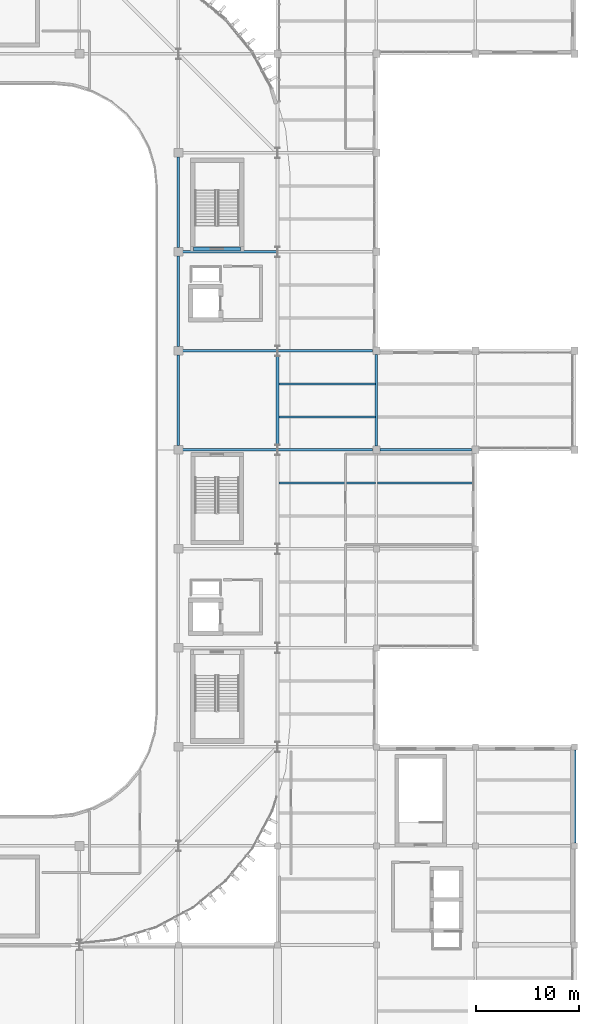
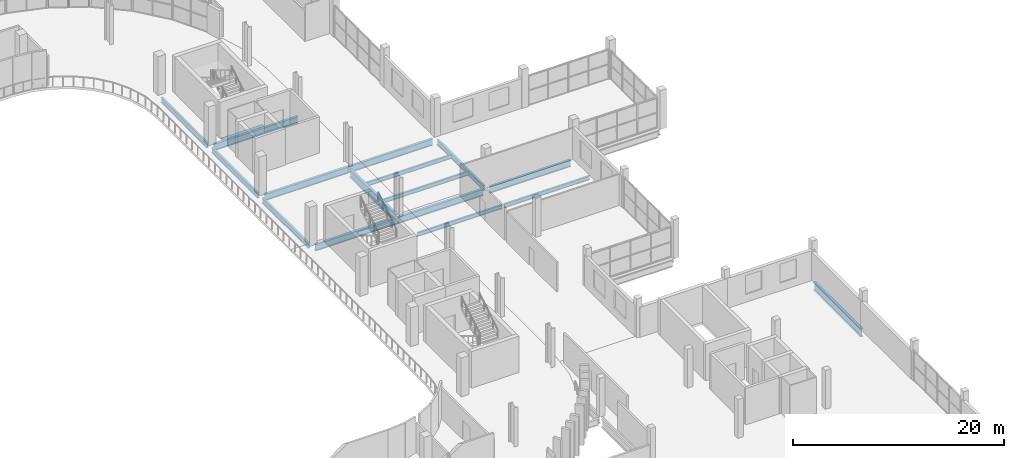
# One storey, part 30 of 92: 17 beams.
"""IFC4 building model written with IfcOpenShell, lengths in metres."""

from ifc_helpers import new_model, si_unit, direction, frame, origin, origin_2d, place, context, subcontext, project, spatial, rectangle, i_section, extrude, material, material_profile, profile_set, type_object, element, save


model = new_model("IFC4")

# Units and contexts
model_context = context("Model", 3, precision=1e-05, world=origin(), true_north=direction((0.0, 1.0)))
body_context = subcontext(model_context, "Body", "Model", "MODEL_VIEW")
ifc_project = project(units=[si_unit("LENGTHUNIT", "METRE"), si_unit("AREAUNIT", "SQUARE_METRE"), si_unit("VOLUMEUNIT", "CUBIC_METRE"), si_unit("PLANEANGLEUNIT", "RADIAN"), si_unit("MASSUNIT", "GRAM", prefix="KILO")], contexts=[model_context])

# Site, building, storey
site_placement = place(None, origin())
site = spatial("IfcSite", under=ifc_project, at=site_placement, CompositionType="ELEMENT")
building_placement = place(site_placement, origin())
building = spatial("IfcBuilding", under=site, at=building_placement, Name="Caelomonte Colonnade Arena", CompositionType="ELEMENT")
storey_placement = place(building_placement, frame((0.0, 0.0, 9.60009765625)))
storey = spatial("IfcBuildingStorey", under=building, at=storey_placement, Name="L02", CompositionType="ELEMENT", Elevation=9.60009765625)

# Beams
ifc_material_1 = material(Name="Wide-flange steel ASTM A992 Grade 50", Category="steel")
ifc_material_profile_1 = material_profile(ifc_material_1, i_section(OverallWidth=0.307861328125, OverallDepth=0.927001953125, WebThickness=0.019287109375, FlangeThickness=0.031982421875, FilletRadius=0.020263671875, at=origin_2d()), Name="W36X194")
ifc_profile_set_1 = profile_set([ifc_material_profile_1], Name="Wide-flange steel ASTM A992 Grade 50")
beam_type_1 = type_object("IfcBeamType", Name="STR-BM-EAVES2", PredefinedType="SPANDREL", material=ifc_profile_set_1)
beam_1_placement = place(storey_placement, frame((163.199951171875, 67.697509765625, -0.74365234375), z_axis=(0.0, 1.0, 0.0), x_axis=(-1.0, 0.0, 0.0)))
element("IfcBeam", 1, at=beam_1_placement, inside=storey, type_object=beam_type_1, Name="L02 girder BMY-L02-1632-0672", PredefinedType="SPANDREL", context=body_context, shape_type="SweptSolid", body=[
    extrude(i_section(OverallWidth=0.307861328125, OverallDepth=0.927001953125, WebThickness=0.019287109375, FlangeThickness=0.031982421875, FilletRadius=0.020263671875, at=origin_2d()), origin(), (0.0, 0.0, 1.0), 8.60498046875),
])
beam_2_placement = place(storey_placement, frame((192.0, 29.092041015625, -0.74365234375), z_axis=(0.0, 1.0, 0.0), x_axis=(-1.0, 0.0, 0.0)))
element("IfcBeam", 2, at=beam_2_placement, inside=storey, type_object=beam_type_1, Name="L02 girder BMY-L02-1920-0288", PredefinedType="SPANDREL", context=body_context, shape_type="SweptSolid", body=[
    extrude(i_section(OverallWidth=0.307861328125, OverallDepth=0.927001953125, WebThickness=0.019287109375, FlangeThickness=0.031982421875, FilletRadius=0.020263671875, at=origin_2d()), origin(), (0.0, 0.0, 1.0), 9.015869140625),
])
ifc_material_profile_2 = material_profile(ifc_material_1, i_section(OverallWidth=0.228271484375, OverallDepth=0.607177734375, WebThickness=0.01123046875, FlangeThickness=0.017333984375, FilletRadius=0.0126953125, at=origin_2d()), Name="W24X76")
ifc_profile_set_2 = profile_set([ifc_material_profile_2], Name="Wide-flange steel ASTM A992 Grade 50")
beam_type_2 = type_object("IfcBeamType", Name="STR-BM-GIRD24", PredefinedType="BEAM", material=ifc_profile_set_2)
beam_3_placement = place(storey_placement, frame((153.60009765625, 67.616943359375, -0.58349609375), z_axis=(0.0, 1.0, 0.0), x_axis=(-1.0, 0.0, 0.0)))
element("IfcBeam", 3, at=beam_3_placement, inside=storey, type_object=beam_type_2, Name="L02 girder BMY-L02-1536-0672", PredefinedType="BEAM", context=body_context, shape_type="SweptSolid", body=[
    extrude(i_section(OverallWidth=0.228271484375, OverallDepth=0.607177734375, WebThickness=0.01123046875, FlangeThickness=0.017333984375, FilletRadius=0.0126953125, at=origin_2d()), origin(), (0.0, 0.0, 1.0), 8.76611328125),
])
beam_4_placement = place(storey_placement, frame((153.60009765625, 77.217041015625, -0.58349609375), z_axis=(0.0, 1.0, 0.0), x_axis=(-1.0, 0.0, 0.0)))
element("IfcBeam", 4, at=beam_4_placement, inside=storey, type_object=beam_type_2, Name="L02 girder BMY-L02-1536-0768", PredefinedType="BEAM", context=body_context, shape_type="SweptSolid", body=[
    extrude(i_section(OverallWidth=0.228271484375, OverallDepth=0.607177734375, WebThickness=0.01123046875, FlangeThickness=0.017333984375, FilletRadius=0.0126953125, at=origin_2d()), origin(), (0.0, 0.0, 1.0), 8.765869140625),
])
beam_5_placement = place(storey_placement, frame((153.60009765625, 86.81689453125, -0.58349609375), z_axis=(0.0, 1.0, 0.0), x_axis=(-1.0, 0.0, 0.0)))
element("IfcBeam", 5, at=beam_5_placement, inside=storey, type_object=beam_type_2, Name="L02 girder BMY-L02-1536-0864", PredefinedType="BEAM", context=body_context, shape_type="SweptSolid", body=[
    extrude(i_section(OverallWidth=0.228271484375, OverallDepth=0.607177734375, WebThickness=0.01123046875, FlangeThickness=0.017333984375, FilletRadius=0.0126953125, at=origin_2d()), origin(), (0.0, 0.0, 1.0), 8.76611328125),
])
beam_6_placement = place(storey_placement, frame((172.800048828125, 67.56689453125, -0.58349609375), z_axis=(0.0, 1.0, 0.0), x_axis=(-1.0, 0.0, 0.0)))
element("IfcBeam", 6, at=beam_6_placement, inside=storey, type_object=beam_type_2, Name="L02 girder BMY-L02-1728-0672", PredefinedType="BEAM", context=body_context, shape_type="SweptSolid", body=[
    extrude(i_section(OverallWidth=0.228271484375, OverallDepth=0.607177734375, WebThickness=0.01123046875, FlangeThickness=0.017333984375, FilletRadius=0.0126953125, at=origin_2d()), origin(), (0.0, 0.0, 1.0), 8.8662109375),
])
ifc_material_profile_3 = material_profile(ifc_material_1, i_section(OverallWidth=0.2666015625, OverallDepth=0.761962890625, WebThickness=0.014404296875, FlangeThickness=0.021484375, FilletRadius=0.0166015625, at=origin_2d()), Name="W30X116")
ifc_profile_set_3 = profile_set([ifc_material_profile_3], Name="Wide-flange steel ASTM A992 Grade 50")
beam_type_3 = type_object("IfcBeamType", Name="STR-BM-GIRD30", PredefinedType="BEAM", material=ifc_profile_set_3)
beam_7_placement = place(storey_placement, frame((154.01708984375, 67.199951171875, -0.6611328125), z_axis=(1.0, 0.0, 0.0), x_axis=(0.0, 1.0, 0.0)))
element("IfcBeam", 7, at=beam_7_placement, inside=storey, type_object=beam_type_3, Name="L02 girder BMX-L02-1536-0672", PredefinedType="BEAM", context=body_context, shape_type="SweptSolid", body=[
    extrude(i_section(OverallWidth=0.2666015625, OverallDepth=0.761962890625, WebThickness=0.014404296875, FlangeThickness=0.021484375, FilletRadius=0.0166015625, at=origin_2d()), origin(), (0.0, 0.0, 1.0), 9.171142578125),
])
beam_8_placement = place(storey_placement, frame((163.2119140625, 67.199951171875, -0.6611328125), z_axis=(1.0, 0.0, 0.0), x_axis=(0.0, 1.0, 0.0)))
element("IfcBeam", 8, at=beam_8_placement, inside=storey, type_object=beam_type_3, Name="L02 girder BMX-L02-1632-0672", PredefinedType="BEAM", context=body_context, shape_type="SweptSolid", body=[
    extrude(i_section(OverallWidth=0.2666015625, OverallDepth=0.761962890625, WebThickness=0.014404296875, FlangeThickness=0.021484375, FilletRadius=0.0166015625, at=origin_2d()), origin(), (0.0, 0.0, 1.0), 9.22119140625),
])
beam_9_placement = place(storey_placement, frame((173.1669921875, 67.199951171875, -0.6611328125), z_axis=(1.0, 0.0, 0.0), x_axis=(0.0, 1.0, 0.0)))
element("IfcBeam", 9, at=beam_9_placement, inside=storey, type_object=beam_type_3, Name="L02 girder BMX-L02-1728-0672", PredefinedType="BEAM", context=body_context, shape_type="SweptSolid", body=[
    extrude(i_section(OverallWidth=0.2666015625, OverallDepth=0.761962890625, WebThickness=0.014404296875, FlangeThickness=0.021484375, FilletRadius=0.0166015625, at=origin_2d()), origin(), (0.0, 0.0, 1.0), 8.865966796875),
])
beam_10_placement = place(storey_placement, frame((154.01708984375, 76.800048828125, -0.6611328125), z_axis=(1.0, 0.0, 0.0), x_axis=(0.0, 1.0, 0.0)))
element("IfcBeam", 10, at=beam_10_placement, inside=storey, type_object=beam_type_3, Name="L02 girder BMX-L02-1536-0768", PredefinedType="BEAM", context=body_context, shape_type="SweptSolid", body=[
    extrude(i_section(OverallWidth=0.2666015625, OverallDepth=0.761962890625, WebThickness=0.014404296875, FlangeThickness=0.021484375, FilletRadius=0.0166015625, at=origin_2d()), origin(), (0.0, 0.0, 1.0), 9.171142578125),
])
beam_11_placement = place(storey_placement, frame((163.2119140625, 76.800048828125, -0.6611328125), z_axis=(1.0, 0.0, 0.0), x_axis=(0.0, 1.0, 0.0)))
element("IfcBeam", 11, at=beam_11_placement, inside=storey, type_object=beam_type_3, Name="L02 girder BMX-L02-1632-0768", PredefinedType="BEAM", context=body_context, shape_type="SweptSolid", body=[
    extrude(i_section(OverallWidth=0.2666015625, OverallDepth=0.761962890625, WebThickness=0.014404296875, FlangeThickness=0.021484375, FilletRadius=0.0166015625, at=origin_2d()), origin(), (0.0, 0.0, 1.0), 9.22119140625),
])
beam_12_placement = place(storey_placement, frame((154.01708984375, 86.39990234375, -0.6611328125), z_axis=(1.0, 0.0, 0.0), x_axis=(0.0, 1.0, 0.0)))
element("IfcBeam", 12, at=beam_12_placement, inside=storey, type_object=beam_type_3, Name="L02 girder BMX-L02-1536-0864", PredefinedType="BEAM", context=body_context, shape_type="SweptSolid", body=[
    extrude(i_section(OverallWidth=0.2666015625, OverallDepth=0.761962890625, WebThickness=0.014404296875, FlangeThickness=0.021484375, FilletRadius=0.0166015625, at=origin_2d()), origin(), (0.0, 0.0, 1.0), 9.171142578125),
])
ifc_material_profile_4 = material_profile(ifc_material_1, i_section(OverallWidth=0.1904296875, OverallDepth=0.457275390625, WebThickness=0.009033203125, FlangeThickness=0.014404296875, FilletRadius=0.01025390625, at=origin_2d()), Name="W18X50")
ifc_profile_set_4 = profile_set([ifc_material_profile_4], Name="Wide-flange steel ASTM A992 Grade 50")
beam_type_4 = type_object("IfcBeamType", Name="STR-BM-JOIST18", PredefinedType="JOIST", material=ifc_profile_set_4)
for number, where, z_axis, x_axis, name in (
    (13, (163.348876953125, 64.0, -0.5087890625), (1.0, 0.0, 0.0), (0.0, 1.0, 0.0), "L02 secondary joist 2"),
    (14, (163.348876953125, 70.39990234375, -0.5087890625), (1.0, 0.0, 0.0), (0.0, 1.0, 0.0), "L02 secondary joist 1"),
    (15, (163.348876953125, 73.60009765625, -0.5087890625), (1.0, 0.0, 0.0), (0.0, 1.0, 0.0), "L02 secondary joist 2"),
):
    element("IfcBeam", number, at=place(storey_placement, frame(where, z_axis=z_axis, x_axis=x_axis)), inside=storey, type_object=beam_type_4, Name=name, PredefinedType="JOIST", context=body_context, shape_type="SweptSolid", body=[
        extrude(i_section(OverallWidth=0.1904296875, OverallDepth=0.457275390625, WebThickness=0.009033203125, FlangeThickness=0.014404296875, FilletRadius=0.01025390625, at=origin_2d()), origin(), (0.0, 0.0, 1.0), 9.342041015625),
    ])
beam_13_placement = place(storey_placement, frame((172.9091796875, 64.0, -0.5087890625), z_axis=(1.0, 0.0, 0.0), x_axis=(0.0, 1.0, 0.0)))
element("IfcBeam", 16, at=beam_13_placement, inside=storey, type_object=beam_type_4, Name="L02 secondary joist 2", PredefinedType="JOIST", context=body_context, shape_type="SweptSolid", body=[
    extrude(i_section(OverallWidth=0.1904296875, OverallDepth=0.457275390625, WebThickness=0.009033203125, FlangeThickness=0.014404296875, FilletRadius=0.01025390625, at=origin_2d()), origin(), (0.0, 0.0, 1.0), 9.3818359375),
])
ifc_material_2 = material(Name="Concrete C40/50", Category="concrete")
ifc_material_profile_5 = material_profile(ifc_material_2, rectangle(XDim=0.39990234375, YDim=0.64990234375, at=origin_2d()), Name="RC400X650")
ifc_profile_set_5 = profile_set([ifc_material_profile_5], Name="Concrete C40/50")
beam_type_5 = type_object("IfcBeamType", Name="STR-BM-LINT40", PredefinedType="LINTEL", material=ifc_profile_set_5)
beam_14_placement = place(storey_placement, frame((155.074951171875, 86.675048828125, -0.60498046875), z_axis=(1.0, 0.0, 0.0), x_axis=(0.0, 1.0, 0.0)))
element("IfcBeam", 17, at=beam_14_placement, inside=storey, type_object=beam_type_5, Name="Core C3 L02 coupling lintel beam", PredefinedType="LINTEL", context=body_context, shape_type="SweptSolid", body=[
    extrude(rectangle(XDim=0.39990234375, YDim=0.64990234375, at=origin_2d()), origin(), (0.0, 0.0, 1.0), 4.550048828125),
])

save(model, "model.ifc")
